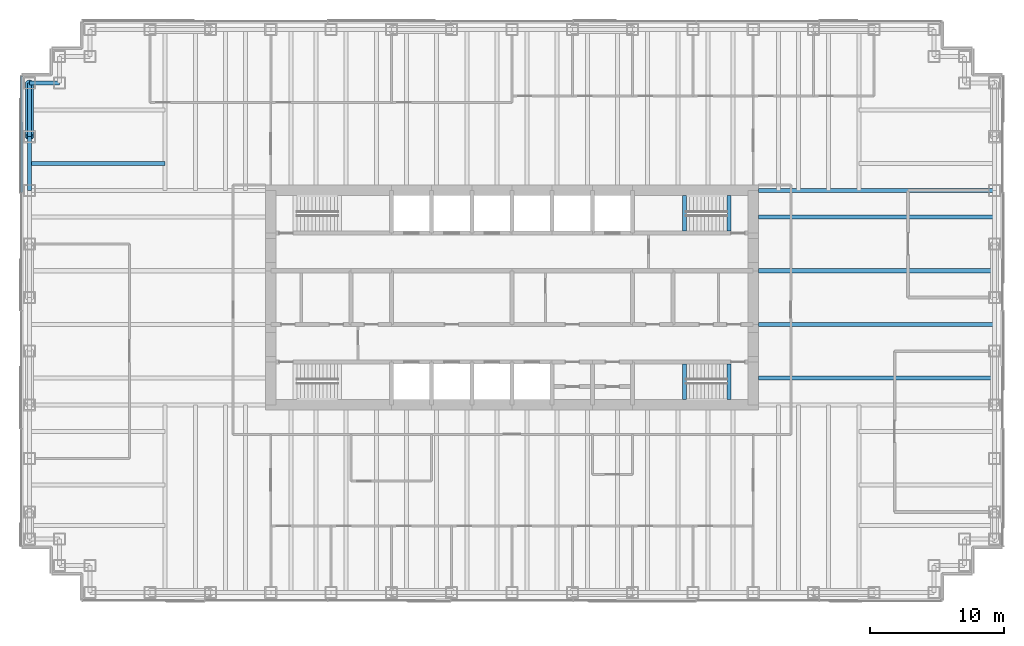
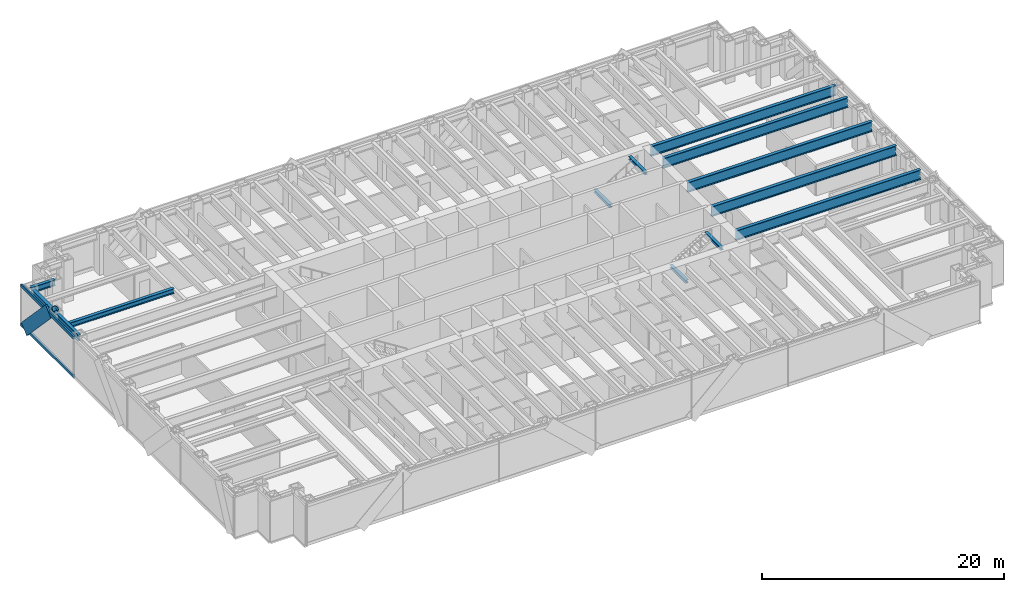
# One storey, part 5 of 16: 13 beams, 4 members, 1 element without a shape of its own.
"""IFC4 building model written with IfcOpenShell, lengths in metres."""

from ifc_helpers import new_model, si_unit, direction, frame, origin, origin_2d, place, context, subcontext, project, spatial, rectangle, hollow_circle, i_section, extrude, material, material_profile, profile_set, type_object, element, aggregate, save


model = new_model("IFC4")

# Units and contexts
model_context = context("Model", 3, precision=1e-05, world=origin(), true_north=direction((0.0, 1.0)))
body_context = subcontext(model_context, "Body", "Model", "MODEL_VIEW")
ifc_project = project(units=[si_unit("LENGTHUNIT", "METRE"), si_unit("AREAUNIT", "SQUARE_METRE"), si_unit("VOLUMEUNIT", "CUBIC_METRE"), si_unit("PLANEANGLEUNIT", "RADIAN"), si_unit("MASSUNIT", "GRAM", prefix="KILO")], contexts=[model_context])

# Site, building, storey
site_placement = place(None, origin())
site = spatial("IfcSite", under=ifc_project, at=site_placement, CompositionType="ELEMENT")
building_placement = place(site_placement, origin())
building = spatial("IfcBuilding", under=site, at=building_placement, Name="Rheinbord Bourse Tower", CompositionType="ELEMENT")
storey_placement = place(building_placement, frame((0.0, 0.0, 219.39990234375)))
storey = spatial("IfcBuildingStorey", under=building, at=storey_placement, Name="L49", CompositionType="ELEMENT", Elevation=219.39990234375)

# Curtain wall, members
ifc_material_1 = material(Name="Dark glass and black aluminium", Category="aluminium")
curtain_wall_type = type_object("IfcCurtainWallType", Name="CW2 DARK GLASS CURTAIN WALL", PredefinedType="USERDEFINED", material=ifc_material_1)
curtain_wall_placement = place(storey_placement, origin())
curtain_wall = element("IfcCurtainWall", 1, at=curtain_wall_placement, inside=storey, type_object=curtain_wall_type, Name="Curtain wall CW2 W L49", ObjectType="UNITISED CURTAIN WALL", PredefinedType="USERDEFINED")
ifc_material_2 = material(Name="Black anodised aluminium", Category="aluminium")
ifc_material_profile_1 = material_profile(ifc_material_2, rectangle(XDim=0.159912109375, YDim=1.2099609375, at=origin_2d()), Name="CW2 DIAGONAL MULLION 1210x160")
ifc_profile_set_1 = profile_set([ifc_material_profile_1], Name="Black anodised aluminium")
member_type_1 = type_object("IfcMemberType", Name="CW2 BLACK DIAGONAL MULLION", PredefinedType="USERDEFINED", material=ifc_profile_set_1)
member_1_placement = place(storey_placement, frame((-0.60009765625, 40.0, 0.0), z_axis=(0.0, -0.689638355374, 0.72415394689), x_axis=(1.0, 0.0, 0.0)))
member_1 = element("IfcMember", 2, at=member_1_placement, type_object=member_type_1, Name="CW2 diagonal mullion d", ObjectType="DIAGONAL MULLION", PredefinedType="USERDEFINED", context=body_context, shape_type="SweptSolid", body=[
    extrude(rectangle(XDim=0.159912109375, YDim=1.2099609375, at=origin_2d()), origin(), (0.0, 0.0, 1.0), 5.800048828125),
])
ifc_material_3 = material(Name="Black anodised aluminium", Category="aluminium")
ifc_material_profile_2 = material_profile(ifc_material_3, rectangle(XDim=0.159912109375, YDim=0.300048828125, at=origin_2d()), Name="CW2 TRANSOM 300x160")
ifc_profile_set_2 = profile_set([ifc_material_profile_2], Name="Black anodised aluminium")
member_type_2 = type_object("IfcMemberType", Name="CW2 BLACK TRANSOM", PredefinedType="USERDEFINED", material=ifc_profile_set_2)
member_2_placement = place(storey_placement, frame((-0.60009765625, 40.530029296875, 0.150146484375), z_axis=(0.0, -1.0, 0.0), x_axis=(1.0, 0.0, 0.0)))
member_2 = element("IfcMember", 3, at=member_2_placement, type_object=member_type_2, Name="CW2 transom 1.1", ObjectType="TRANSOM", PredefinedType="USERDEFINED", context=body_context, shape_type="SweptSolid", body=[
    extrude(rectangle(XDim=0.159912109375, YDim=0.300048828125, at=origin_2d()), origin(), (0.0, 0.0, 1.0), 8.695068359375),
])
member_3_placement = place(storey_placement, frame((-0.60009765625, 40.530029296875, 4.050048828125), z_axis=(0.0, -1.0, 0.0), x_axis=(1.0, 0.0, 0.0)))
member_3 = element("IfcMember", 4, at=member_3_placement, type_object=member_type_2, Name="CW2 transom 1.2", ObjectType="TRANSOM", PredefinedType="USERDEFINED", context=body_context, shape_type="SweptSolid", body=[
    extrude(rectangle(XDim=0.159912109375, YDim=0.300048828125, at=origin_2d()), origin(), (0.0, 0.0, 1.0), 8.695068359375),
])
aggregate(curtain_wall, [member_2, member_3, member_1])

# Beams
ifc_material_4 = material(Name="Steel S460", Category="steel")
ifc_material_profile_3 = material_profile(ifc_material_4, i_section(OverallWidth=0.302001953125, OverallDepth=1.008056640625, WebThickness=0.02099609375, FlangeThickness=0.0400390625, at=origin_2d()), Name="HEM 1000")
ifc_profile_set_3 = profile_set([ifc_material_profile_3], Name="Steel S460")
beam_type_1 = type_object("IfcBeamType", Name="END BEAM HEM 1000", PredefinedType="BEAM", material=ifc_profile_set_3)
for number, where, z_axis, x_axis, name in (
    (5, (54.39990234375, 18.0, 3.5361328125), (1.0, 0.0, 0.0), (0.0, 1.0, 0.0), "End beam east 18 L50"),
    (6, (54.39990234375, 22.0, 3.5361328125), (1.0, 0.0, 0.0), (0.0, 1.0, 0.0), "End beam east 22 L50"),
    (7, (54.39990234375, 26.0, 3.5361328125), (1.0, 0.0, 0.0), (0.0, 1.0, 0.0), "End beam east 26 L50"),
    (8, (54.39990234375, 30.0, 3.5361328125), (1.0, 0.0, 0.0), (0.0, 1.0, 0.0), "End beam east 30 L50"),
):
    element("IfcBeam", number, at=place(storey_placement, frame(where, z_axis=z_axis, x_axis=x_axis)), inside=storey, type_object=beam_type_1, Name=name, PredefinedType="BEAM", context=body_context, shape_type="SweptSolid", body=[
        extrude(i_section(OverallWidth=0.302001953125, OverallDepth=1.008056640625, WebThickness=0.02099609375, FlangeThickness=0.0400390625, at=origin_2d()), origin(), (0.0, 0.0, 1.0), 17.60009765625),
    ])
ifc_material_5 = material(Name="Steel S460", Category="steel")
ifc_material_profile_4 = material_profile(ifc_material_5, i_section(OverallWidth=0.302001953125, OverallDepth=1.008056640625, WebThickness=0.02099609375, FlangeThickness=0.0400390625, at=origin_2d()), Name="HEM 1000")
ifc_profile_set_4 = profile_set([ifc_material_profile_4], Name="Steel S460")
beam_type_2 = type_object("IfcBeamType", Name="GIRDER HEM 1000", PredefinedType="BEAM", material=ifc_profile_set_4)
beam_1_placement = place(storey_placement, frame((54.39990234375, 32.0, 3.5361328125), z_axis=(1.0, 0.0, 0.0), x_axis=(0.0, 1.0, 0.0)))
element("IfcBeam", 9, at=beam_1_placement, inside=storey, type_object=beam_type_2, Name="Girder east 32 L50", PredefinedType="BEAM", context=body_context, shape_type="SweptSolid", body=[
    extrude(i_section(OverallWidth=0.302001953125, OverallDepth=1.008056640625, WebThickness=0.02099609375, FlangeThickness=0.0400390625, at=origin_2d()), origin(), (0.0, 0.0, 1.0), 17.60009765625),
])
ifc_material_6 = material(Name="Steel S460", Category="steel")
ifc_material_profile_5 = material_profile(ifc_material_6, i_section(OverallWidth=0.300048828125, OverallDepth=0.300048828125, WebThickness=0.010986328125, FlangeThickness=0.01904296875, at=origin_2d()), Name="HEB 300")
ifc_profile_set_5 = profile_set([ifc_material_profile_5], Name="Steel S460")
beam_type_3 = type_object("IfcBeamType", Name="LANDING TRIMMER HEB 300", PredefinedType="BEAM", material=ifc_profile_set_5)
for number, where, z_axis, x_axis, name in (
    (10, (48.8701171875, 16.39990234375, 1.75), (0.0, 1.0, 0.0), (-1.0, 0.0, 0.0), "Landing trimmer ST3 L49"),
    (11, (52.199951171875, 16.39990234375, 3.89013671875), (0.0, 1.0, 0.0), (-1.0, 0.0, 0.0), "Well trimmer ST3 under L50"),
    (12, (48.8701171875, 28.949951171875, 1.75), (0.0, 1.0, 0.0), (-1.0, 0.0, 0.0), "Landing trimmer ST4 L49"),
    (13, (52.199951171875, 28.949951171875, 3.89013671875), (0.0, 1.0, 0.0), (-1.0, 0.0, 0.0), "Well trimmer ST4 under L50"),
):
    element("IfcBeam", number, at=place(storey_placement, frame(where, z_axis=z_axis, x_axis=x_axis)), inside=storey, type_object=beam_type_3, Name=name, PredefinedType="BEAM", context=body_context, shape_type="SweptSolid", body=[
        extrude(i_section(OverallWidth=0.300048828125, OverallDepth=0.300048828125, WebThickness=0.010986328125, FlangeThickness=0.01904296875, at=origin_2d()), origin(), (0.0, 0.0, 1.0), 2.650146484375),
    ])

# Member
ifc_material_7 = material(Name="Steel S460", Category="steel")
ifc_material_profile_6 = material_profile(ifc_material_7, hollow_circle(Radius=0.304931640625, WallThickness=0.0400390625, at=origin_2d()), Name="CHS 610x40")
ifc_profile_set_6 = profile_set([ifc_material_profile_6], Name="Steel S460")
member_type_3 = type_object("IfcMemberType", Name="MEGABRACE CHS 610x40", PredefinedType="BRACE", material=ifc_profile_set_6)
member_4_placement = place(storey_placement, frame((0.0, 40.0, 0.0), z_axis=(0.0, -0.689638355374, 0.72415394689), x_axis=(1.0, 0.0, 0.0)))
element("IfcMember", 14, at=member_4_placement, inside=storey, type_object=member_type_3, Name="Megabrace W face line d L49", PredefinedType="BRACE", context=body_context, shape_type="SweptSolid", body=[
    extrude(hollow_circle(Radius=0.304931640625, WallThickness=0.0400390625, at=origin_2d()), origin(), (0.0, 0.0, 1.0), 5.800048828125),
])

# Beams
ifc_material_8 = material(Name="Steel S460", Category="steel")
ifc_material_profile_7 = material_profile(ifc_material_8, i_section(OverallWidth=0.300048828125, OverallDepth=0.60009765625, WebThickness=0.015380859375, FlangeThickness=0.030029296875, at=origin_2d()), Name="HEB 600")
ifc_profile_set_7 = profile_set([ifc_material_profile_7], Name="Steel S460")
beam_type_4 = type_object("IfcBeamType", Name="SPANDREL HEB 600", PredefinedType="SPANDREL", material=ifc_profile_set_7)
beam_2_placement = place(storey_placement, frame((2.25, 40.0, 3.739990234375), z_axis=(-1.0, 0.0, 0.0), x_axis=(0.0, -1.0, 0.0)))
element("IfcBeam", 15, at=beam_2_placement, inside=storey, type_object=beam_type_4, Name="Spandrel NW-B-NW-A under L50", PredefinedType="SPANDREL", context=body_context, shape_type="SweptSolid", body=[
    extrude(i_section(OverallWidth=0.300048828125, OverallDepth=0.60009765625, WebThickness=0.015380859375, FlangeThickness=0.030029296875, at=origin_2d()), origin(), (0.0, 0.0, 1.0), 2.25),
])
for number, where, z_axis, x_axis, name in (
    (16, (0.0, 40.0, 3.739990234375), (0.0, -1.0, 0.0), (1.0, 0.0, 0.0), "Spandrel NW-A-W-36 under L50"),
    (17, (0.0, 36.0, 3.739990234375), (0.0, -1.0, 0.0), (1.0, 0.0, 0.0), "Spandrel W-36-W-32 under L50"),
):
    element("IfcBeam", number, at=place(storey_placement, frame(where, z_axis=z_axis, x_axis=x_axis)), inside=storey, type_object=beam_type_4, Name=name, PredefinedType="SPANDREL", context=body_context, shape_type="SweptSolid", body=[
        extrude(i_section(OverallWidth=0.300048828125, OverallDepth=0.60009765625, WebThickness=0.015380859375, FlangeThickness=0.030029296875, at=origin_2d()), origin(), (0.0, 0.0, 1.0), 4.0),
    ])
ifc_material_9 = material(Name="Steel S460", Category="steel")
ifc_material_profile_8 = material_profile(ifc_material_9, i_section(OverallWidth=0.300048828125, OverallDepth=0.5, WebThickness=0.014404296875, FlangeThickness=0.028076171875, at=origin_2d()), Name="HEB 500")
ifc_profile_set_8 = profile_set([ifc_material_profile_8], Name="Steel S460")
beam_type_5 = type_object("IfcBeamType", Name="TIE BEAM HEB 500", PredefinedType="JOIST", material=ifc_profile_set_8)
beam_3_placement = place(storey_placement, frame((0.0, 34.0, 3.7900390625), z_axis=(1.0, 0.0, 0.0), x_axis=(0.0, 1.0, 0.0)))
element("IfcBeam", 18, at=beam_3_placement, inside=storey, type_object=beam_type_5, Name="Tie west 34 L50", PredefinedType="JOIST", context=body_context, shape_type="SweptSolid", body=[
    extrude(i_section(OverallWidth=0.300048828125, OverallDepth=0.5, WebThickness=0.014404296875, FlangeThickness=0.028076171875, at=origin_2d()), origin(), (0.0, 0.0, 1.0), 10.125),
])

save(model, "model.ifc")
